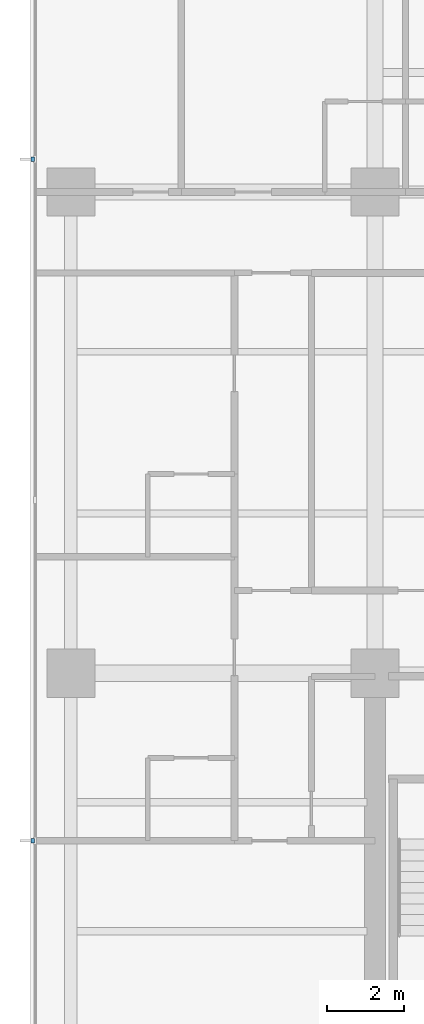
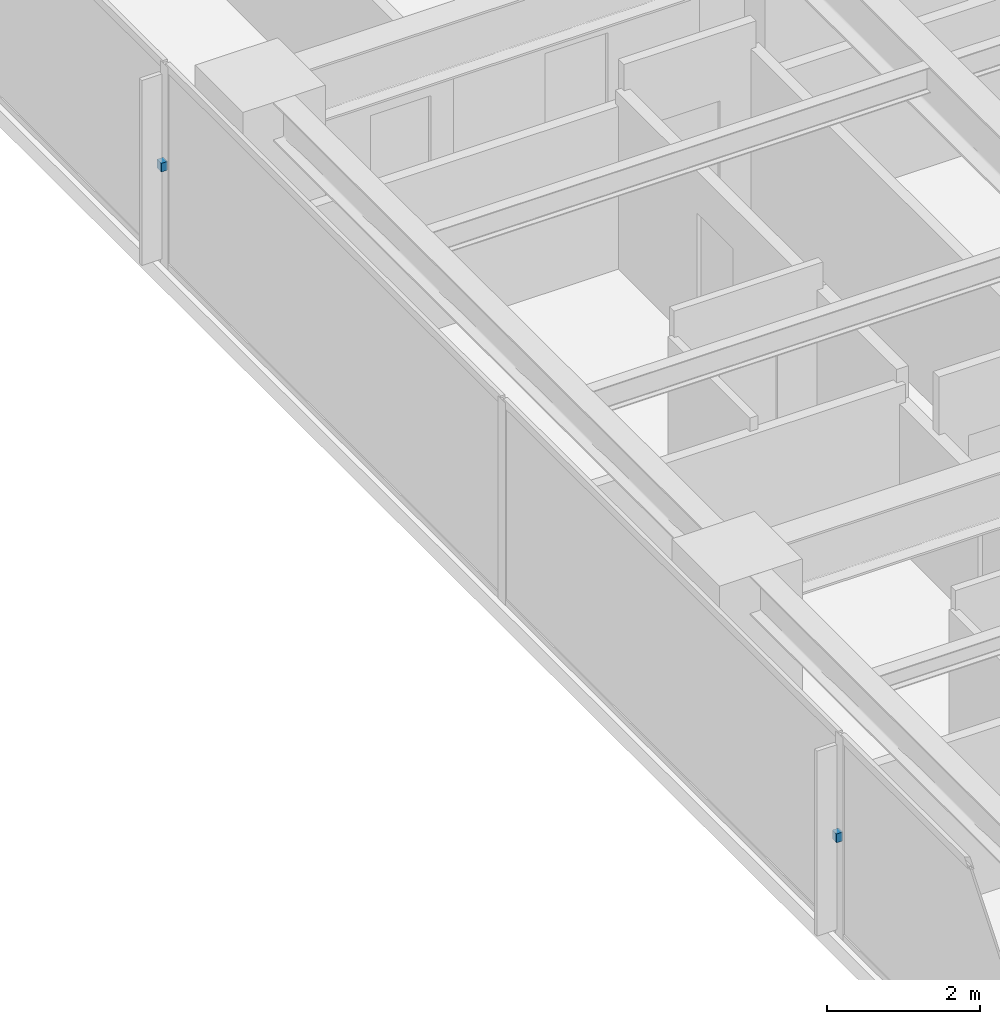
# One storey, part 13 of 17: 2 discrete accessories.
"""IFC4 building model written with IfcOpenShell, lengths in metres."""

from ifc_helpers import new_model, si_unit, direction, frame, origin, place, context, subcontext, project, spatial, polyline, outline, extrude, material, type_object, element, save


model = new_model("IFC4")

# Units and contexts
model_context = context("Model", 3, precision=1e-05, world=origin(), true_north=direction((0.0, 1.0)))
body_context = subcontext(model_context, "Body", "Model", "MODEL_VIEW")
ifc_project = project(units=[si_unit("LENGTHUNIT", "METRE"), si_unit("AREAUNIT", "SQUARE_METRE"), si_unit("VOLUMEUNIT", "CUBIC_METRE"), si_unit("PLANEANGLEUNIT", "RADIAN"), si_unit("MASSUNIT", "GRAM", prefix="KILO")], contexts=[model_context])

# Site, building, storey
site_placement = place(None, origin())
site = spatial("IfcSite", under=ifc_project, at=site_placement, CompositionType="ELEMENT")
building_placement = place(site_placement, origin())
building = spatial("IfcBuilding", under=site, at=building_placement, Name="Qalmaran Belvedere Hotel", CompositionType="ELEMENT")
storey_placement = place(building_placement, frame((0.0, 0.0, 102.199951171875)))
storey = spatial("IfcBuildingStorey", under=building, at=storey_placement, Name="L25", CompositionType="ELEMENT", Elevation=102.199951171875)

# Discrete accessories
ifc_material = material(Name="Stainless Steel 1.4401", Category="steel")
discrete_accessory_type = type_object("IfcDiscreteAccessoryType", Name="BRK-FIN-SS316", PredefinedType="BRACKET", material=ifc_material)
discrete_accessory_1_placement = place(storey_placement, frame((0.0, 0.0, 1.570068359375)))
element("IfcDiscreteAccessory", 1, at=discrete_accessory_1_placement, inside=storey, type_object=discrete_accessory_type, Name="L25 Fin Bracket 1", PredefinedType="BRACKET", context=body_context, shape_type="SweptSolid", body=[
    extrude(outline(polyline([(11.455078125, 33.905029296875), (11.360107421875, 33.905029296875), (11.360107421875, 33.794921875), (11.455078125, 33.794921875), (11.455078125, 33.905029296875)])), origin(), (0.0, 0.0, 1.0), 0.139892578125),
])
discrete_accessory_2_placement = place(storey_placement, frame((0.0, 0.0, 1.570068359375)))
element("IfcDiscreteAccessory", 2, at=discrete_accessory_2_placement, inside=storey, type_object=discrete_accessory_type, Name="L25 Fin Bracket 3", PredefinedType="BRACKET", context=body_context, shape_type="SweptSolid", body=[
    extrude(outline(polyline([(11.455078125, 16.205078125), (11.360107421875, 16.205078125), (11.360107421875, 16.094970703125), (11.455078125, 16.094970703125), (11.455078125, 16.205078125)])), origin(), (0.0, 0.0, 1.0), 0.139892578125),
])

save(model, "model.ifc")
